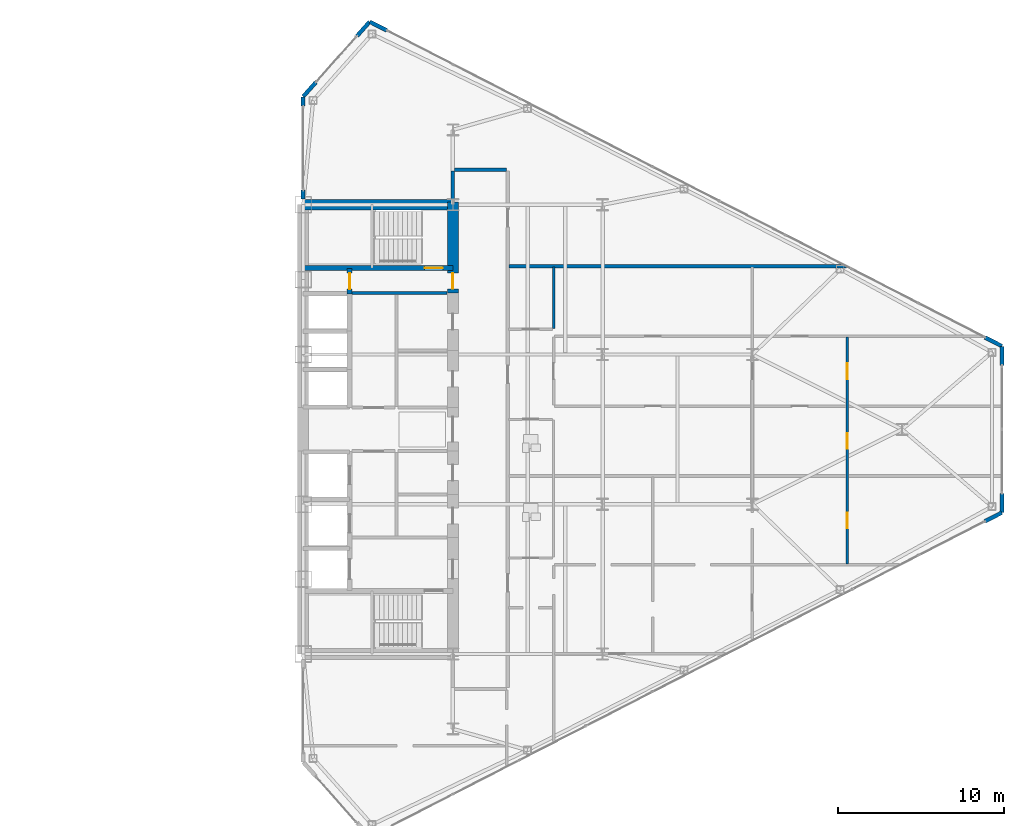
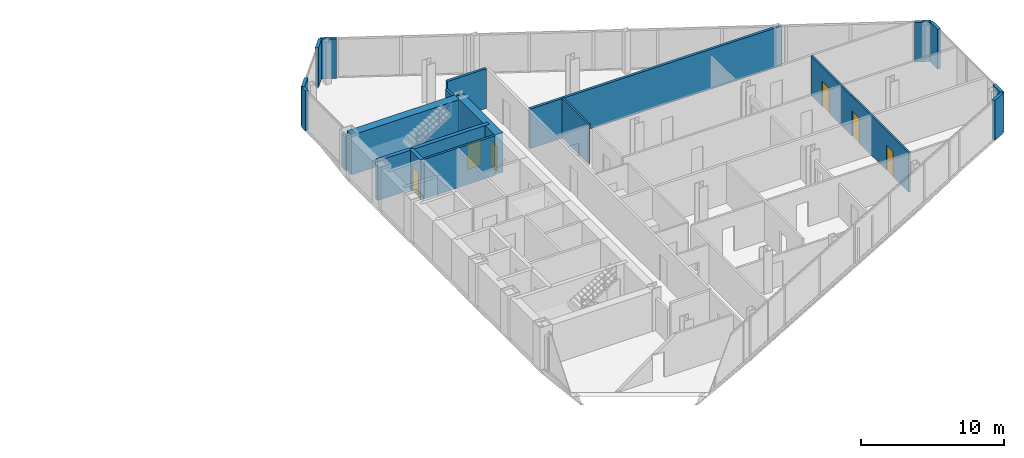
# One storey, part 21 of 24: 19 walls, 6 doors, 6 openings.
"""IFC4 building model written with IfcOpenShell, lengths in metres."""

import ifcopenshell
import ifcopenshell.guid

model = None  # the IFC model being written
_history = None  # IfcOwnerHistory: only IFC2X3 demands one
_inside = {}  # id of a spatial element -> (the spatial element, [elements in it])
_under = {}  # id of a project, library or spatial element -> (it, [spatial elements below it])
_declared = {}  # id of a project -> (the project, [libraries it declares])
_typed = {}  # id of a type object -> (the type object, [elements of that type])
_made_of = {}  # id of a material, layer set ... -> (it, [elements and type objects made of it])


def new_model(schema):
    """Start an empty IFC model of exactly this schema.

    Asked for "IFC4X3", IfcOpenShell would pick the latest addendum, in which some entities
    have other attributes; the version numbers below select the first issue.
    IFC2X3 requires an IfcOwnerHistory on every rooted entity: one is made here for all.
    """
    global model, _history
    if schema == "IFC4X3":
        model = ifcopenshell.file(schema_version=(4, 3, 0, 0))
    else:
        model = ifcopenshell.file(schema=schema)
    _inside.clear()
    _under.clear()
    _declared.clear()
    _typed.clear()
    _made_of.clear()
    _history = None
    if model.schema == "IFC2X3":
        org = make("IfcOrganization", Name="unknown")
        user = make(
            "IfcPersonAndOrganization",
            ThePerson=make("IfcPerson", FamilyName="unknown"),
            TheOrganization=org,
        )
        app = make(
            "IfcApplication",
            ApplicationDeveloper=org,
            Version="unknown",
            ApplicationFullName="unknown",
            ApplicationIdentifier="unknown",
        )
        _history = make(
            "IfcOwnerHistory",
            OwningUser=user,
            OwningApplication=app,
            ChangeAction="ADDED",
            CreationDate=0,
        )
    return model


def make(cls, **values):
    """One entity of the class cls with the attributes given. An attribute that is None is left unset."""
    return model.create_entity(
        cls, **{name: value for name, value in values.items() if value is not None}
    )


def rooted(cls, **values):
    """An entity with a GlobalId (a new one), such as an element, a storey or a relation."""
    return make(cls, GlobalId=ifcopenshell.guid.new(), OwnerHistory=_history, **values)


def si_unit(unit_type, name, prefix=None):
    """IfcSIUnit, for example si_unit("LENGTHUNIT", "METRE", prefix="MILLI")."""
    return make("IfcSIUnit", UnitType=unit_type, Prefix=prefix, Name=name)


def assignment(units):
    """IfcUnitAssignment: the units of a project."""
    return None if units is None else make("IfcUnitAssignment", Units=units)


def point(xyz):
    """IfcCartesianPoint."""
    return None if xyz is None else make("IfcCartesianPoint", Coordinates=xyz)


def direction(xyz):
    """IfcDirection."""
    return None if xyz is None else make("IfcDirection", DirectionRatios=xyz)


def frame(location, z_axis=None, x_axis=None):
    """IfcAxis2Placement3D, a coordinate frame: its origin and axes. An axis left out is left unset."""
    return make(
        "IfcAxis2Placement3D",
        Location=point(location),
        Axis=direction(z_axis),
        RefDirection=direction(x_axis),
    )


def frame_2d(location, x_axis=None):
    """IfcAxis2Placement2D, a coordinate frame in the plane: its origin and x axis."""
    return make(
        "IfcAxis2Placement2D", Location=point(location), RefDirection=direction(x_axis)
    )


def origin():
    """The frame at (0, 0, 0) with its axes left unset."""
    return frame((0.0, 0.0, 0.0))


def place(relative_to, where):
    """IfcLocalPlacement: puts the frame where relative to a parent placement (None: the world)."""
    return make(
        "IfcLocalPlacement", PlacementRelTo=relative_to, RelativePlacement=where
    )


def context(
    kind, dimensions, precision=None, world=None, true_north=None, identifier=None
):
    """IfcGeometricRepresentationContext, for example the 3D "Model" context."""
    return make(
        "IfcGeometricRepresentationContext",
        ContextIdentifier=identifier,
        ContextType=kind,
        CoordinateSpaceDimension=dimensions,
        Precision=precision,
        WorldCoordinateSystem=world,
        TrueNorth=true_north,
    )


def subcontext(parent, identifier, kind, view, scale=None):
    """IfcGeometricRepresentationSubContext, for example "Body" below "Model"."""
    return make(
        "IfcGeometricRepresentationSubContext",
        ContextIdentifier=identifier,
        ContextType=kind,
        ParentContext=parent,
        TargetScale=scale,
        TargetView=view,
    )


def project(units=None, contexts=None):
    """IfcProject with its units and contexts."""
    return rooted(
        "IfcProject",
        Name="project",
        RepresentationContexts=contexts,
        UnitsInContext=assignment(units),
    )


def spatial(cls, under=None, at=None, **own):
    """A site, building, storey or space (cls), placed at a placement, below another one or the project."""
    s = rooted(cls, ObjectPlacement=at, **own)
    if under is not None:
        _under.setdefault(under.id(), (under, []))[1].append(s)
    return s


def profile(cls, at=None, kind="AREA", **sizes):
    """A parametric profile (cls). Its sizes go by their IFC names, for example OverallWidth=200.0."""
    return make(cls, ProfileType=kind, Position=at, **sizes)


def rectangle(**sizes):
    """IfcRectangleProfileDef."""
    return profile("IfcRectangleProfileDef", **sizes)


def extrude(swept, where, along, depth):
    """IfcExtrudedAreaSolid: the profile swept, set in the frame where, extruded along a direction by depth."""
    return make(
        "IfcExtrudedAreaSolid",
        SweptArea=swept,
        Position=where,
        ExtrudedDirection=direction(along),
        Depth=depth,
    )


def shape(context_of_items, identifier, shape_type, items):
    """IfcShapeRepresentation: the items that make up one representation, for example the "Body"."""
    return make(
        "IfcShapeRepresentation",
        ContextOfItems=context_of_items,
        RepresentationIdentifier=identifier,
        RepresentationType=shape_type,
        Items=items,
    )


def source(mapping_origin, context_of_items, identifier, shape_type, items):
    """IfcRepresentationMap: a shape defined once, which mapped items show again and again."""
    return make(
        "IfcRepresentationMap",
        MappingOrigin=mapping_origin,
        MappedRepresentation=shape(context_of_items, identifier, shape_type, items),
    )


def transform(
    local_origin,
    x_axis=None,
    y_axis=None,
    z_axis=None,
    scale=None,
    scale2=None,
    scale3=None,
    uniform=True,
):
    """IfcCartesianTransformationOperator3D, or its non-uniform kind. x_axis, y_axis, z_axis: its Axis1, 2, 3."""
    if uniform:
        return make(
            "IfcCartesianTransformationOperator3D",
            Axis1=direction(x_axis),
            Axis2=direction(y_axis),
            LocalOrigin=point(local_origin),
            Scale=scale,
            Axis3=direction(z_axis),
        )
    return make(
        "IfcCartesianTransformationOperator3DnonUniform",
        Axis1=direction(x_axis),
        Axis2=direction(y_axis),
        LocalOrigin=point(local_origin),
        Scale=scale,
        Axis3=direction(z_axis),
        Scale2=scale2,
        Scale3=scale3,
    )


def mapped(mapping_source, mapping_target):
    """IfcMappedItem: shows the shape of a source again, moved by a transform."""
    return make(
        "IfcMappedItem", MappingSource=mapping_source, MappingTarget=mapping_target
    )


def material(Name=None, Category=None):
    """IfcMaterial."""
    return make("IfcMaterial", Name=Name, Category=Category)


def layer(
    of_material, thickness, ventilated=None, Name=None, Category=None, Priority=None
):
    """IfcMaterialLayer: one layer of a wall or slab, of a material (None: an air gap)."""
    return make(
        "IfcMaterialLayer",
        Material=of_material,
        LayerThickness=thickness,
        IsVentilated=ventilated,
        Name=Name,
        Category=Category,
        Priority=Priority,
    )


def layer_set(layers, Name=None):
    """IfcMaterialLayerSet."""
    return make("IfcMaterialLayerSet", MaterialLayers=layers, LayerSetName=Name)


def made_of(thing, what):
    """Note that an element or type object is made of a material, layer set ...; save() writes the relation."""
    if what is not None:
        _made_of.setdefault(what.id(), (what, []))[1].append(thing)
    return thing


def type_object(cls, material=None, **own):
    """A type object (cls), such as IfcWallType, which elements share."""
    return made_of(rooted(cls, **own), material)


def type_shapes(of_type, sources):
    """Give a type object the sources (RepresentationMaps) that its elements show as mapped items."""
    of_type.RepresentationMaps = sources


def element(
    cls,
    number,
    at=None,
    inside=None,
    cuts=None,
    type_object=None,
    material=None,
    context=None,
    identifier="Body",
    shape_type=None,
    held_by="IfcProductDefinitionShape",
    body=None,
    shapes=None,
    **own,
):
    """One element of the class cls, such as IfcWall. Its Tag is "e" and its number.

    at: its placement. inside: the storey or other place that contains it. cuts: it is an
    opening in that element (IfcRelVoidsElement). A single representation is given by context,
    identifier, shape_type and body (its items); several are given by shapes. held_by: the class
    of the entity that holds the representations. save() writes the other relations.
    """
    e = rooted(cls, Tag="e%d" % number, ObjectPlacement=at, **own)
    if body is not None:
        shapes = [shape(context, identifier, shape_type, body)]
    if shapes is not None:
        e.Representation = make(held_by, Representations=shapes)
    if inside is not None:
        _inside.setdefault(inside.id(), (inside, []))[1].append(e)
    if cuts is not None:
        rooted(
            "IfcRelVoidsElement", RelatingBuildingElement=cuts, RelatedOpeningElement=e
        )
    if type_object is not None:
        _typed.setdefault(type_object.id(), (type_object, []))[1].append(e)
    return made_of(e, material)


def fill(opening, filler):
    """IfcRelFillsElement: the door or window that sits in an opening."""
    return rooted(
        "IfcRelFillsElement",
        RelatingOpeningElement=opening,
        RelatedBuildingElement=filler,
    )


def aggregate(whole, parts):
    """IfcRelAggregates: a whole, such as a stair, and the parts it consists of."""
    return rooted("IfcRelAggregates", RelatingObject=whole, RelatedObjects=parts)


def save(model, path):
    """Write the relations noted so far, then the file.

    IfcRelAggregates (storeys below a building ...), IfcRelContainedInSpatialStructure (elements
    in a storey), IfcRelDefinesByType, IfcRelAssociatesMaterial and IfcRelDeclares: one each for
    every whole, place, type object, material and project.
    """
    for whole, parts in _under.values():
        aggregate(whole, parts)
    for where, things in _inside.values():
        rooted(
            "IfcRelContainedInSpatialStructure",
            RelatedElements=things,
            RelatingStructure=where,
        )
    for kind, things in _typed.values():
        rooted("IfcRelDefinesByType", RelatedObjects=things, RelatingType=kind)
    for what, things in _made_of.values():
        rooted("IfcRelAssociatesMaterial", RelatedObjects=things, RelatingMaterial=what)
    for by, libraries in _declared.values():
        rooted("IfcRelDeclares", RelatingContext=by, RelatedDefinitions=libraries)
    model.write(path)


model = new_model("IFC4")

# Units and contexts
model_context = context("Model", 3, precision=1e-05, world=origin(), true_north=direction((0.0, 1.0)))
body_context = subcontext(model_context, "Body", "Model", "MODEL_VIEW")
ifc_project = project(units=[si_unit("LENGTHUNIT", "METRE"), si_unit("AREAUNIT", "SQUARE_METRE"), si_unit("VOLUMEUNIT", "CUBIC_METRE"), si_unit("PLANEANGLEUNIT", "RADIAN"), si_unit("MASSUNIT", "GRAM", prefix="KILO")], contexts=[model_context])

# Site, building, storey
site_placement = place(None, origin())
site = spatial("IfcSite", under=ifc_project, at=site_placement, CompositionType="ELEMENT")
building_placement = place(site_placement, origin())
building = spatial("IfcBuilding", under=site, at=building_placement, Name="Seokmaru Belvedere", CompositionType="ELEMENT")
storey_placement = place(building_placement, frame((0.0, 0.0, 117.60009765625)))
storey = spatial("IfcBuildingStorey", under=building, at=storey_placement, Name="L31", CompositionType="ELEMENT", Elevation=117.60009765625)

# Wall
ifc_material_1 = material(Name="Fire-Rated Gypsum Shaftwall")
ifc_layer_1 = layer(ifc_material_1, 0.14990234375)
ifc_layer_set_1 = layer_set([ifc_layer_1], Name="Fire-Rated Gypsum Shaftwall")
wall_type_1 = type_object("IfcWallType", Name="Apartment Fire-Acoustic Room Partition 150", PredefinedType="PARTITIONING", material=ifc_layer_set_1)
wall_1_placement = place(storey_placement, frame((42.550048828125, 6.072021484375, 0.0), z_axis=(0.0, 0.0, 1.0), x_axis=(0.0, 1.0, 0.0)))
element("IfcWall", 1, at=wall_1_placement, inside=storey, type_object=wall_type_1, Name="L31 Interior Partition 044", PredefinedType="PARTITIONING", context=body_context, shape_type="SweptSolid", body=[
    extrude(rectangle(XDim=3.677978515625, YDim=0.14990234375, at=frame_2d((1.8388671875, 0.0))), origin(), (0.0, 0.0, 1.0), 3.3798828125),
])

# Wall, openings, doors
wall_2_placement = place(storey_placement, frame((60.199951171875, -8.093017578125, 0.0), z_axis=(0.0, 0.0, 1.0), x_axis=(0.0, 1.0, 0.0)))
wall_2 = element("IfcWall", 2, at=wall_2_placement, inside=storey, type_object=wall_type_1, Name="L31 Interior Partition 047", PredefinedType="PARTITIONING", context=body_context, shape_type="SweptSolid", body=[
    extrude(rectangle(XDim=13.64306640625, YDim=0.14990234375, at=frame_2d((6.821533203125, 0.0))), origin(), (0.0, 0.0, 1.0), 3.3798828125),
])
opening_1_placement = place(wall_2_placement, frame((2.146484375, 0.0, 0.0)))
opening_1 = element("IfcOpeningElement", 3, at=opening_1_placement, cuts=wall_2, Name="Opening D05", PredefinedType="OPENING", context=body_context, shape_type="SweptSolid", body=[
    extrude(rectangle(XDim=0.949951171875, YDim=2.14990234375, at=frame_2d((0.47509765625, 1.074951171875))), frame((0.0, 0.0849609375, 0.0), z_axis=(0.0, -1.0, 0.0), x_axis=(1.0, 0.0, 0.0)), (0.0, 0.0, 1.0), 0.169921875),
])
opening_2_placement = place(wall_2_placement, frame((6.91796875, 0.0, 0.0)))
opening_2 = element("IfcOpeningElement", 4, at=opening_2_placement, cuts=wall_2, Name="Opening D05", PredefinedType="OPENING", context=body_context, shape_type="SweptSolid", body=[
    extrude(rectangle(XDim=0.949951171875, YDim=2.14990234375, at=frame_2d((0.47509765625, 1.074951171875))), frame((0.0, 0.0849609375, 0.0), z_axis=(0.0, -1.0, 0.0), x_axis=(1.0, 0.0, 0.0)), (0.0, 0.0, 1.0), 0.169921875),
])
opening_3_placement = place(wall_2_placement, frame((11.117919921875, 0.0, 0.0)))
opening_3 = element("IfcOpeningElement", 5, at=opening_3_placement, cuts=wall_2, Name="Opening D05", PredefinedType="OPENING", context=body_context, shape_type="SweptSolid", body=[
    extrude(rectangle(XDim=0.949951171875, YDim=2.14990234375, at=frame_2d((0.47509765625, 1.074951171875))), frame((0.0, 0.0849609375, 0.0), z_axis=(0.0, -1.0, 0.0), x_axis=(1.0, 0.0, 0.0)), (0.0, 0.0, 1.0), 0.169921875),
])
ifc_material_2 = material(Name="Engineered White Oak Timber", Category="wood")
door_type_1 = type_object("IfcDoorType", Name="Apartment Interior Fire-Rated Oak Door 950x2150", OperationType="NOTDEFINED", PredefinedType="DOOR", material=ifc_material_2)
shared_shape_1 = source(origin(), body_context, "Body", "SweptSolid", [
    extrude(rectangle(XDim=0.949951171875, YDim=2.14990234375, at=frame_2d((0.47509765625, 1.074951171875))), frame((0.0, 0.02490234375, 0.0), z_axis=(0.0, -1.0, 0.0), x_axis=(1.0, 0.0, 0.0)), (0.0, 0.0, 1.0), 0.050048828125),
])
type_shapes(door_type_1, [shared_shape_1])
door_1_placement = place(opening_1_placement, origin())
door_1 = element("IfcDoor", 6, at=door_1_placement, inside=storey, type_object=door_type_1, Name="L31 Interior Door 039", OperationType="SINGLE_SWING_LEFT", OverallHeight=2.14990234375, OverallWidth=0.949951171875, PredefinedType="DOOR", context=body_context, shape_type="MappedRepresentation", body=[
    mapped(shared_shape_1, transform((0.0, 0.0, 0.0), scale=1.0)),
])
fill(opening_1, door_1)
door_2_placement = place(opening_2_placement, origin())
door_2 = element("IfcDoor", 7, at=door_2_placement, inside=storey, type_object=door_type_1, Name="L31 Interior Door 050", OperationType="SINGLE_SWING_LEFT", OverallHeight=2.14990234375, OverallWidth=0.949951171875, PredefinedType="DOOR", context=body_context, shape_type="MappedRepresentation", body=[
    mapped(shared_shape_1, transform((0.0, 0.0, 0.0), scale=1.0)),
])
fill(opening_2, door_2)
door_3_placement = place(opening_3_placement, origin())
door_3 = element("IfcDoor", 8, at=door_3_placement, inside=storey, type_object=door_type_1, Name="L31 Interior Door 051", OperationType="SINGLE_SWING_LEFT", OverallHeight=2.14990234375, OverallWidth=0.949951171875, PredefinedType="DOOR", context=body_context, shape_type="MappedRepresentation", body=[
    mapped(shared_shape_1, transform((0.0, 0.0, 0.0), scale=1.0)),
])
fill(opening_3, door_3)

# Walls
ifc_layer_2 = layer(ifc_material_1, 0.179931640625)
ifc_layer_set_2 = layer_set([ifc_layer_2], Name="Fire-Rated Gypsum Shaftwall")
wall_type_2 = type_object("IfcWallType", Name="Core Service Fire Partition 180", PredefinedType="PARTITIONING", material=ifc_layer_set_2)
wall_3_placement = place(storey_placement, frame((30.449951171875, 8.199951171875, 0.0), z_axis=(0.0, 0.0, 1.0), x_axis=(1.0, 0.0, 0.0)))
element("IfcWall", 9, at=wall_3_placement, inside=storey, type_object=wall_type_2, Name="L31 East Smokeproof Vestibule Partition", PredefinedType="PARTITIONING", context=body_context, shape_type="SweptSolid", body=[
    extrude(rectangle(XDim=5.699951171875, YDim=0.179931640625, at=frame_2d((2.85009765625, 0.0))), origin(), (0.0, 0.0, 1.0), 3.3798828125),
])
ifc_layer_3 = layer(ifc_material_1, 0.199951171875)
ifc_layer_set_3 = layer_set([ifc_layer_3], Name="Fire-Rated Gypsum Shaftwall")
wall_type_3 = type_object("IfcWallType", Name="Inter-Tenancy Fire Compartment Partition 200", PredefinedType="PARTITIONING", material=ifc_layer_set_3)
wall_4_placement = place(storey_placement, frame((39.8798828125, 9.800048828125, 0.0), z_axis=(0.0, 0.0, 1.0), x_axis=(1.0, 0.0, 0.0)))
element("IfcWall", 10, at=wall_4_placement, inside=storey, type_object=wall_type_3, Name="L31 Interior Partition 021", PredefinedType="PARTITIONING", context=body_context, shape_type="SweptSolid", body=[
    extrude(rectangle(XDim=20.277099609375, YDim=0.199951171875, at=frame_2d((10.138671875, 0.0))), origin(), (0.0, 0.0, 1.0), 3.3798828125),
])
wall_5_placement = place(storey_placement, frame((36.5849609375, 15.60009765625, 0.0), z_axis=(0.0, 0.0, 1.0), x_axis=(1.0, 0.0, 0.0)))
element("IfcWall", 11, at=wall_5_placement, inside=storey, type_object=wall_type_3, Name="L31 Interior Partition 025", PredefinedType="PARTITIONING", context=body_context, shape_type="SweptSolid", body=[
    extrude(rectangle(XDim=3.130126953125, YDim=0.199951171875, at=frame_2d((1.56494140625, 0.0))), origin(), (0.0, 0.0, 1.0), 3.3798828125),
])
wall_6_placement = place(storey_placement, frame((36.5, 13.830078125, 0.0), z_axis=(0.0, 0.0, 1.0), x_axis=(0.0, 1.0, 0.0)))
element("IfcWall", 12, at=wall_6_placement, inside=storey, type_object=wall_type_3, Name="L31 Interior Partition 038", PredefinedType="PARTITIONING", context=body_context, shape_type="SweptSolid", body=[
    extrude(rectangle(XDim=1.684814453125, YDim=0.199951171875, at=frame_2d((0.84228515625, 0.0))), origin(), (0.0, 0.0, 1.0), 2.77978515625),
])

# Wall, opening, door
ifc_material_3 = material(Name="Concrete C50 (50 MPa)", Category="concrete")
ifc_layer_4 = layer(ifc_material_3, 0.300048828125)
ifc_layer_set_4 = layer_set([ifc_layer_4], Name="Concrete C50 (50 MPa)")
wall_type_4 = type_object("IfcWallType", Name="Internal Core Stair and Hoistway Wall 300", PredefinedType="SHEAR", material=ifc_layer_set_4)
wall_7_placement = place(storey_placement, frame((27.5, 9.699951171875, 0.0), z_axis=(0.0, 0.0, 1.0), x_axis=(1.0, 0.0, 0.0)))
wall_7 = element("IfcWall", 13, at=wall_7_placement, inside=storey, type_object=wall_type_4, Name="L31 East Stair ST-2 Enclosure Wall", PredefinedType="SHEAR", context=body_context, shape_type="SweptSolid", body=[
    extrude(rectangle(XDim=9.0, YDim=0.300048828125, at=frame_2d((4.5, 0.0))), origin(), (0.0, 0.0, 1.0), 3.3798828125),
])
opening_4_placement = place(wall_7_placement, frame((7.300048828125, 0.0, 0.0)))
opening_4 = element("IfcOpeningElement", 14, at=opening_4_placement, cuts=wall_7, Name="Opening D01", PredefinedType="OPENING", context=body_context, shape_type="SweptSolid", body=[
    extrude(rectangle(XDim=1.10009765625, YDim=2.199951171875, at=frame_2d((0.550048828125, 1.10009765625))), frame((0.0, 0.16015625, 0.0), z_axis=(0.0, -1.0, 0.0), x_axis=(1.0, 0.0, 0.0)), (0.0, 0.0, 1.0), 0.320068359375),
])
ifc_material_4 = material(Name="Fire-Rated Steel Leaf", Category="steel")
door_type_2 = type_object("IfcDoorType", Name="Special Escape Stair Smokeproof Fire Door 1100x2200", OperationType="NOTDEFINED", PredefinedType="DOOR", material=ifc_material_4)
shared_shape_2 = source(origin(), body_context, "Body", "SweptSolid", [
    extrude(rectangle(XDim=1.10009765625, YDim=2.199951171875, at=frame_2d((0.550048828125, 1.10009765625))), frame((0.0, 0.02490234375, 0.0), z_axis=(0.0, -1.0, 0.0), x_axis=(1.0, 0.0, 0.0)), (0.0, 0.0, 1.0), 0.050048828125),
])
type_shapes(door_type_2, [shared_shape_2])
door_4_placement = place(opening_4_placement, origin())
door_4 = element("IfcDoor", 15, at=door_4_placement, inside=storey, type_object=door_type_2, Name="L31 East Special Escape Stair ST-2 Door", OperationType="SINGLE_SWING_LEFT", OverallHeight=2.199951171875, OverallWidth=1.10009765625, PredefinedType="DOOR", context=body_context, shape_type="MappedRepresentation", body=[
    mapped(shared_shape_2, transform((0.0, 0.0, 0.0), scale=1.0)),
])
fill(opening_4, door_4)

wall_8_placement = place(storey_placement, frame((30.300048828125, 8.14990234375, 0.0), z_axis=(0.0, 0.0, 1.0), x_axis=(0.0, 1.0, 0.0)))
wall_8 = element("IfcWall", 16, at=wall_8_placement, inside=storey, type_object=wall_type_4, Name="L31 East Electrical Riser Front Wall", PredefinedType="SHEAR", context=body_context, shape_type="SweptSolid", body=[
    extrude(rectangle(XDim=1.530029296875, YDim=0.300048828125, at=frame_2d((0.76513671875, 0.0))), origin(), (0.0, 0.0, 1.0), 3.3798828125),
])
opening_5_placement = place(wall_8_placement, frame((0.284912109375, 0.0, 0.0)))
opening_5 = element("IfcOpeningElement", 17, at=opening_5_placement, cuts=wall_8, Name="Opening D04", PredefinedType="OPENING", context=body_context, shape_type="SweptSolid", body=[
    extrude(rectangle(XDim=0.949951171875, YDim=2.14990234375, at=frame_2d((0.47509765625, 1.074951171875))), frame((0.0, 0.16015625, 0.0), z_axis=(0.0, -1.0, 0.0), x_axis=(1.0, 0.0, 0.0)), (0.0, 0.0, 1.0), 0.320068359375),
])
door_type_3 = type_object("IfcDoorType", Name="Core Service Room Fire Door 950x2150", OperationType="NOTDEFINED", PredefinedType="DOOR", material=ifc_material_4)
shared_shape_3 = source(origin(), body_context, "Body", "SweptSolid", [
    extrude(rectangle(XDim=0.949951171875, YDim=2.14990234375, at=frame_2d((0.47509765625, 1.074951171875))), frame((0.0, 0.02490234375, 0.0), z_axis=(0.0, -1.0, 0.0), x_axis=(1.0, 0.0, 0.0)), (0.0, 0.0, 1.0), 0.050048828125),
])
type_shapes(door_type_3, [shared_shape_3])
door_5_placement = place(opening_5_placement, origin())
door_5 = element("IfcDoor", 18, at=door_5_placement, inside=storey, type_object=door_type_3, Name="L31 East Electrical Riser Access Door", OperationType="SINGLE_SWING_RIGHT", OverallHeight=2.14990234375, OverallWidth=0.949951171875, PredefinedType="DOOR", context=body_context, shape_type="MappedRepresentation", body=[
    mapped(shared_shape_3, transform((0.0, 0.0, 0.0), scale=1.0)),
])
fill(opening_5, door_5)

# Wall
ifc_material_5 = material(Name="Concrete C60 (60 MPa)", Category="concrete")
ifc_layer_5 = layer(ifc_material_5, 0.64990234375)
ifc_layer_set_5 = layer_set([ifc_layer_5], Name="Concrete C60 (60 MPa)")
wall_type_5 = type_object("IfcWallType", Name="Mid-Low Reinforced Concrete Core Wall 650", PredefinedType="SHEAR", material=ifc_layer_set_5)
wall_9_placement = place(storey_placement, frame((27.5, 13.5, 0.0), z_axis=(0.0, 0.0, 1.0), x_axis=(1.0, 0.0, 0.0)))
element("IfcWall", 19, at=wall_9_placement, inside=storey, type_object=wall_type_5, Name="L31 East North Core Wall", PredefinedType="SHEAR", context=body_context, shape_type="SweptSolid", body=[
    extrude(rectangle(XDim=9.0, YDim=0.64990234375, at=frame_2d((4.5, 0.0))), origin(), (0.0, 0.0, 1.0), 3.3798828125),
])

# Wall, opening, door
wall_10_placement = place(storey_placement, frame((36.5, 8.199951171875, 0.0), z_axis=(0.0, 0.0, 1.0), x_axis=(0.0, 1.0, 0.0)))
wall_10 = element("IfcWall", 20, at=wall_10_placement, inside=storey, type_object=wall_type_5, Name="L31 East West Core Wall VST", PredefinedType="SHEAR", context=body_context, shape_type="SweptSolid", body=[
    extrude(rectangle(XDim=5.449951171875, YDim=0.64990234375, at=frame_2d((2.72509765625, 0.0))), origin(), (0.0, 0.0, 1.0), 3.3798828125),
])
opening_6_placement = place(wall_10_placement, frame((0.2451171875, 0.0, 0.0)))
opening_6 = element("IfcOpeningElement", 21, at=opening_6_placement, cuts=wall_10, Name="Opening D04", PredefinedType="OPENING", context=body_context, shape_type="SweptSolid", body=[
    extrude(rectangle(XDim=0.949951171875, YDim=2.14990234375, at=frame_2d((0.47509765625, 1.074951171875))), frame((0.0, 0.3349609375, 0.0), z_axis=(0.0, -1.0, 0.0), x_axis=(1.0, 0.0, 0.0)), (0.0, 0.0, 1.0), 0.669921875),
])
door_6_placement = place(opening_6_placement, origin())
door_6 = element("IfcDoor", 22, at=door_6_placement, inside=storey, type_object=door_type_3, Name="L31 East Smokeproof Vestibule Door", OperationType="SINGLE_SWING_LEFT", OverallHeight=2.14990234375, OverallWidth=0.949951171875, PredefinedType="DOOR", context=body_context, shape_type="MappedRepresentation", body=[
    mapped(shared_shape_3, transform((0.0, 0.0, 0.0), scale=1.0)),
])
fill(opening_6, door_6)

# Walls
ifc_material_6 = material(Name="Anodised Bronze Aluminium", Category="aluminium")
ifc_layer_6 = layer(ifc_material_6, 0.239990234375)
ifc_layer_set_6 = layer_set([ifc_layer_6], Name="Anodised Bronze Aluminium")
wall_type_6 = type_object("IfcWallType", Name="Tower Corner Spandrel Closure Wall 240", PredefinedType="SOLIDWALL", material=ifc_layer_set_6)
wall_11_placement = place(storey_placement, frame((68.476806640625, -5.52490234375, 0.0), z_axis=(0.0, 0.0, 1.0), x_axis=(0.889797395748, 0.456355776255, 0.0)))
element("IfcWall", 23, at=wall_11_placement, inside=storey, type_object=wall_type_6, Name="L31 E Corner Closure Pier 1B", PredefinedType="SOLIDWALL", context=body_context, shape_type="SweptSolid", body=[
    extrude(rectangle(XDim=1.14013671875, YDim=0.239990234375, at=frame_2d((0.570068359375, 0.0))), origin(), (0.0, 0.0, 1.0), 3.3798828125),
])
for number, where, z_axis, x_axis, name in (
    (24, (69.5, -4.989990234375, 0.0), (0.0, 0.0, 1.0), (0.0, 1.0, 0.0), "L31 E Corner Closure Pier 2A"),
    (25, (69.5, 3.85009765625, 0.0), (0.0, 0.0, 1.0), (0.0, 1.0, 0.0), "L31 E Corner Closure Pier 2B"),
):
    element("IfcWall", number, at=place(storey_placement, frame(where, z_axis=z_axis, x_axis=x_axis)), inside=storey, type_object=wall_type_6, Name=name, PredefinedType="SOLIDWALL", context=body_context, shape_type="SweptSolid", body=[
        extrude(rectangle(XDim=1.139892578125, YDim=0.239990234375, at=frame_2d((0.56982421875, 0.0))), origin(), (0.0, 0.0, 1.0), 3.3798828125),
    ])
for number, where, z_axis, x_axis, name in (
    (26, (69.4912109375, 5.004638671875, 0.0), (0.0, 0.0, 1.0), (-0.889797395748, 0.456355776255, 0.0), "L31 E Corner Closure Pier 3A"),
    (27, (32.523193359375, 23.97509765625, 0.0), (0.0, 0.0, 1.0), (-0.889797395748, 0.456355776255, 0.0), "L31 E Corner Closure Pier 3B"),
):
    element("IfcWall", number, at=place(storey_placement, frame(where, z_axis=z_axis, x_axis=x_axis)), inside=storey, type_object=wall_type_6, Name=name, PredefinedType="SOLIDWALL", context=body_context, shape_type="SweptSolid", body=[
        extrude(rectangle(XDim=1.14013671875, YDim=0.239990234375, at=frame_2d((0.570068359375, 0.0))), origin(), (0.0, 0.0, 1.0), 3.3798828125),
    ])
for number, where, z_axis, x_axis, name in (
    (28, (31.493408203125, 24.492431640625, 0.0), (0.0, 0.0, 1.0), (-0.664337252513, -0.747432950119, 0.0), "L31 E Corner Closure Pier 4A"),
    (29, (28.263916015625, 20.859619140625, 0.0), (0.0, 0.0, 1.0), (-0.664337252513, -0.747432950119, 0.0), "L31 E Corner Closure Pier 4B"),
):
    element("IfcWall", number, at=place(storey_placement, frame(where, z_axis=z_axis, x_axis=x_axis)), inside=storey, type_object=wall_type_6, Name=name, PredefinedType="SOLIDWALL", context=body_context, shape_type="SweptSolid", body=[
        extrude(rectangle(XDim=1.139892578125, YDim=0.239990234375, at=frame_2d((0.56982421875, 0.0))), origin(), (0.0, 0.0, 1.0), 3.3798828125),
    ])
wall_12_placement = place(storey_placement, frame((27.5, 13.830078125, 0.0), z_axis=(0.0, 0.0, 1.0), x_axis=(0.0, 1.0, 0.0)))
element("IfcWall", 30, at=wall_12_placement, inside=storey, type_object=wall_type_6, Name="L31 E Spine Closure Pier 2A", PredefinedType="SOLIDWALL", context=body_context, shape_type="SweptSolid", body=[
    extrude(rectangle(XDim=0.5498046875, YDim=0.239990234375, at=frame_2d((0.27490234375, 0.0))), origin(), (0.0, 0.0, 1.0), 2.8798828125),
])
wall_13_placement = place(storey_placement, frame((27.5, 19.429931640625, 0.0), z_axis=(0.0, 0.0, 1.0), x_axis=(0.0, 1.0, 0.0)))
element("IfcWall", 31, at=wall_13_placement, inside=storey, type_object=wall_type_6, Name="L31 E Spine Closure Pier 2B", PredefinedType="SOLIDWALL", context=body_context, shape_type="SweptSolid", body=[
    extrude(rectangle(XDim=0.550048828125, YDim=0.239990234375, at=frame_2d((0.27490234375, 0.0))), origin(), (0.0, 0.0, 1.0), 3.3798828125),
])

save(model, "model.ifc")
